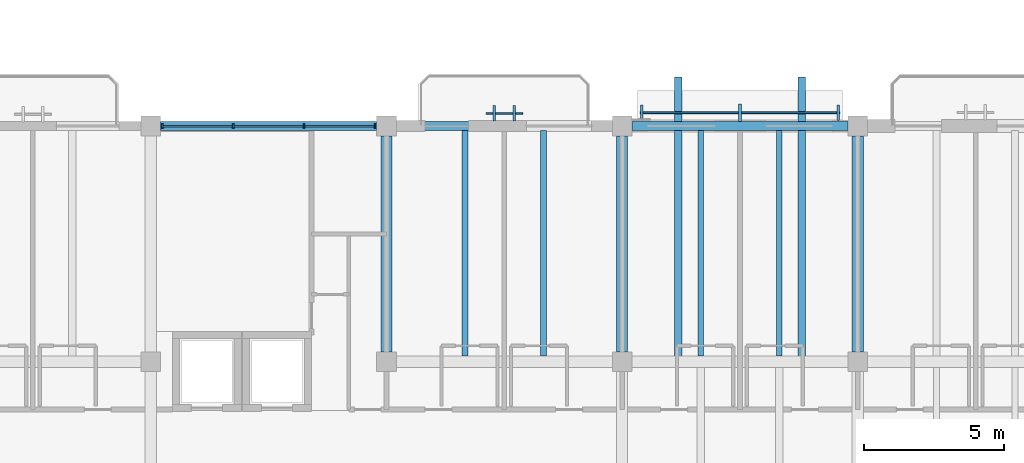
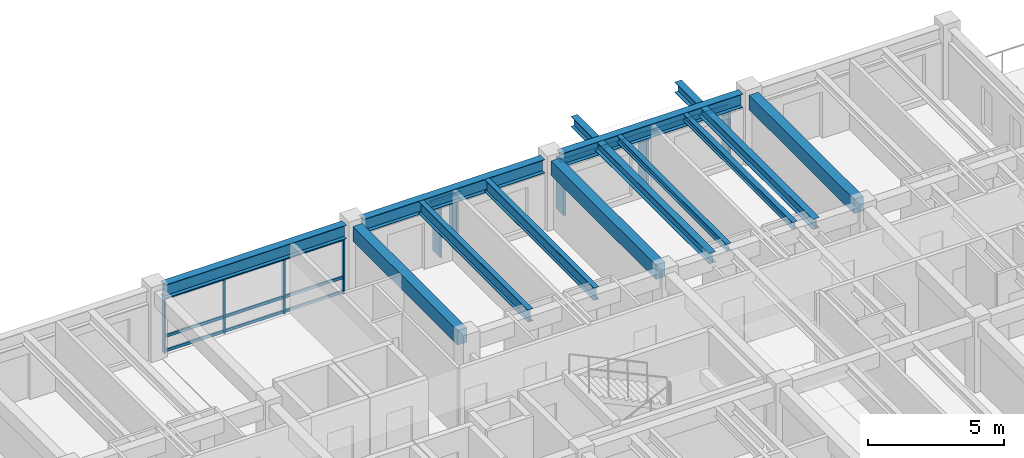
# One storey, part 55 of 93: 20 members, 12 beams, 3 elements without a shape of their own.
"""IFC4 building model written with IfcOpenShell, lengths in metres."""

from ifc_helpers import new_model, si_unit, direction, frame, origin, origin_2d, place, context, subcontext, project, spatial, rectangle, i_section, extrude, material, material_profile, profile_set, type_object, element, aggregate, save


model = new_model("IFC4")

# Units and contexts
model_context = context("Model", 3, precision=1e-05, world=origin(), true_north=direction((0.0, 1.0)))
body_context = subcontext(model_context, "Body", "Model", "MODEL_VIEW")
ifc_project = project(units=[si_unit("LENGTHUNIT", "METRE"), si_unit("AREAUNIT", "SQUARE_METRE"), si_unit("VOLUMEUNIT", "CUBIC_METRE"), si_unit("PLANEANGLEUNIT", "RADIAN"), si_unit("MASSUNIT", "GRAM", prefix="KILO")], contexts=[model_context])

# Site, building, storey
site_placement = place(None, origin())
site = spatial("IfcSite", under=ifc_project, at=site_placement, CompositionType="ELEMENT")
building_placement = place(site_placement, origin())
building = spatial("IfcBuilding", under=site, at=building_placement, Name="Cumbredor Promenade Congress Hotel", CompositionType="ELEMENT")
storey_placement = place(building_placement, frame((0.0, 0.0, 21.840087890625)))
storey = spatial("IfcBuildingStorey", under=building, at=storey_placement, Name="L06", CompositionType="ELEMENT", Elevation=21.840087890625)

# Beams
ifc_material_1 = material(Name="Concrete C40/50", Category="concrete")
ifc_material_profile_1 = material_profile(ifc_material_1, rectangle(XDim=0.39990234375, YDim=0.64990234375, at=origin_2d()), Name="RC BEAM 400x650")
ifc_profile_set_1 = profile_set([ifc_material_profile_1], Name="Concrete C40/50")
beam_type_1 = type_object("IfcBeamType", Name="BM-RC-400x650", PredefinedType="BEAM", material=ifc_profile_set_1)
for number, where, z_axis, x_axis, name in (
    (1, (42.0, 109.550048828125, 2.794921875), (0.0, 1.0, 0.0), (-1.0, 0.0, 0.0), "L07 Y-Grid Beam 036"),
    (2, (50.39990234375, 109.550048828125, 2.794921875), (0.0, 1.0, 0.0), (-1.0, 0.0, 0.0), "L07 Y-Grid Beam 043"),
    (3, (58.800048828125, 109.550048828125, 2.794921875), (0.0, 1.0, 0.0), (-1.0, 0.0, 0.0), "L07 Y-Grid Beam 050"),
):
    element("IfcBeam", number, at=place(storey_placement, frame(where, z_axis=z_axis, x_axis=x_axis)), inside=storey, type_object=beam_type_1, Name=name, PredefinedType="BEAM", context=body_context, shape_type="SweptSolid", body=[
        extrude(rectangle(XDim=0.39990234375, YDim=0.64990234375, at=origin_2d()), origin(), (0.0, 0.0, 1.0), 7.699951171875),
    ])
ifc_material_2 = material(Name="Steel ASTM A992 Grade 50", Category="steel")
ifc_material_profile_2 = material_profile(ifc_material_2, i_section(OverallWidth=0.323974609375, OverallDepth=0.611083984375, WebThickness=0.0126953125, FlangeThickness=0.01904296875, at=origin_2d()), Name="W24X104")
ifc_profile_set_2 = profile_set([ifc_material_profile_2], Name="Steel ASTM A992 Grade 50")
beam_type_2 = type_object("IfcBeamType", Name="BM-W24X104", PredefinedType="BEAM", material=ifc_profile_set_2)
for number, where, z_axis, x_axis, name in (
    (4, (33.949951171875, 117.60009765625, 2.814453125), (1.0, 0.0, 0.0), (0.0, 1.0, 0.0), "L07 X-Grid Beam 031"),
    (5, (42.35009765625, 117.60009765625, 2.814453125), (1.0, 0.0, 0.0), (0.0, 1.0, 0.0), "L07 X-Grid Beam 037"),
    (6, (50.75, 117.60009765625, 2.814453125), (1.0, 0.0, 0.0), (0.0, 1.0, 0.0), "L07 X-Grid Beam 044"),
):
    element("IfcBeam", number, at=place(storey_placement, frame(where, z_axis=z_axis, x_axis=x_axis)), inside=storey, type_object=beam_type_2, Name=name, PredefinedType="BEAM", context=body_context, shape_type="SweptSolid", body=[
        extrude(i_section(OverallWidth=0.323974609375, OverallDepth=0.611083984375, WebThickness=0.0126953125, FlangeThickness=0.01904296875, at=origin_2d()), origin(), (0.0, 0.0, 1.0), 7.699951171875),
    ])

# Curtain wall, members
ifc_material_3 = material(Name="Thermally broken anodized aluminium and low-E glass", Category="aluminium")
curtain_wall_type_1 = type_object("IfcCurtainWallType", Name="Unitised Bronze Curtain Wall CW-01", PredefinedType="NOTDEFINED", material=ifc_material_3)
curtain_wall_1_placement = place(storey_placement, origin())
curtain_wall_1 = element("IfcCurtainWall", 7, at=curtain_wall_1_placement, inside=storey, type_object=curtain_wall_type_1, Name="L06 Stepped Congress Hotel Wing North Curtain Wall 5", PredefinedType="NOTDEFINED")
ifc_material_4 = material(Name="Thermally broken anodized aluminium", Category="aluminium")
ifc_material_profile_3 = material_profile(ifc_material_4, rectangle(XDim=0.06494140625, YDim=0.159912109375, at=origin_2d()), Name="ALU MULLION 65x160")
ifc_profile_set_3 = profile_set([ifc_material_profile_3], Name="Thermally broken anodized aluminium")
member_type_1 = type_object("IfcMemberType", Name="Curtain Wall Mullion ML-01", PredefinedType="MULLION", material=ifc_profile_set_3)
member_1_placement = place(storey_placement, frame((34.0048828125, 117.60009765625, -0.008056640625), z_axis=(0.0, 0.0, 1.0), x_axis=(1.0, 0.0, 0.0)))
member_1 = element("IfcMember", 8, at=member_1_placement, type_object=member_type_1, Name="L06 Stepped Congress Hotel Wing North Curtain Wall 5 Mullion 1", PredefinedType="MULLION", context=body_context, shape_type="SweptSolid", body=[
    extrude(rectangle(XDim=0.06494140625, YDim=0.159912109375, at=origin_2d()), origin(), (0.0, 0.0, 1.0), 2.510009765625),
])
member_2_placement = place(storey_placement, frame((36.534912109375, 117.60009765625, -0.008056640625), z_axis=(0.0, 0.0, 1.0), x_axis=(1.0, 0.0, 0.0)))
member_2 = element("IfcMember", 9, at=member_2_placement, type_object=member_type_1, Name="L06 Stepped Congress Hotel Wing North Curtain Wall 5 Mullion 2", PredefinedType="MULLION", context=body_context, shape_type="SweptSolid", body=[
    extrude(rectangle(XDim=0.06494140625, YDim=0.159912109375, at=origin_2d()), origin(), (0.0, 0.0, 1.0), 2.510009765625),
])
member_3_placement = place(storey_placement, frame((39.06494140625, 117.60009765625, -0.008056640625), z_axis=(0.0, 0.0, 1.0), x_axis=(1.0, 0.0, 0.0)))
member_3 = element("IfcMember", 10, at=member_3_placement, type_object=member_type_1, Name="L06 Stepped Congress Hotel Wing North Curtain Wall 5 Mullion 3", PredefinedType="MULLION", context=body_context, shape_type="SweptSolid", body=[
    extrude(rectangle(XDim=0.06494140625, YDim=0.159912109375, at=origin_2d()), origin(), (0.0, 0.0, 1.0), 2.510009765625),
])
member_4_placement = place(storey_placement, frame((41.594970703125, 117.60009765625, -0.008056640625), z_axis=(0.0, 0.0, 1.0), x_axis=(1.0, 0.0, 0.0)))
member_4 = element("IfcMember", 11, at=member_4_placement, type_object=member_type_1, Name="L06 Stepped Congress Hotel Wing North Curtain Wall 5 Mullion 4", PredefinedType="MULLION", context=body_context, shape_type="SweptSolid", body=[
    extrude(rectangle(XDim=0.06494140625, YDim=0.159912109375, at=origin_2d()), origin(), (0.0, 0.0, 1.0), 2.510009765625),
])
ifc_material_profile_4 = material_profile(ifc_material_4, rectangle(XDim=0.06494140625, YDim=0.1298828125, at=origin_2d()), Name="ALU TRANSOM 65x130")
ifc_profile_set_4 = profile_set([ifc_material_profile_4], Name="Thermally broken anodized aluminium")
member_type_2 = type_object("IfcMemberType", Name="Curtain Wall Transom TR-01", PredefinedType="USERDEFINED", material=ifc_profile_set_4)
member_5_placement = place(storey_placement, frame((34.03759765625, 117.60009765625, 0.06982421875), z_axis=(1.0, 0.0, 0.0), x_axis=(0.0, 1.0, 0.0)))
member_5 = element("IfcMember", 12, at=member_5_placement, type_object=member_type_2, Name="L06 Stepped Congress Hotel Wing North Curtain Wall 5 Transom 1.1", ObjectType="TRANSOM", PredefinedType="USERDEFINED", context=body_context, shape_type="SweptSolid", body=[
    extrude(rectangle(XDim=0.06494140625, YDim=0.1298828125, at=origin_2d()), origin(), (0.0, 0.0, 1.0), 2.46484375),
])
member_6_placement = place(storey_placement, frame((34.03759765625, 117.60009765625, 0.719970703125), z_axis=(1.0, 0.0, 0.0), x_axis=(0.0, 1.0, 0.0)))
member_6 = element("IfcMember", 13, at=member_6_placement, type_object=member_type_2, Name="L06 Stepped Congress Hotel Wing North Curtain Wall 5 Transom 1.2", ObjectType="TRANSOM", PredefinedType="USERDEFINED", context=body_context, shape_type="SweptSolid", body=[
    extrude(rectangle(XDim=0.06494140625, YDim=0.1298828125, at=origin_2d()), origin(), (0.0, 0.0, 1.0), 2.46484375),
])
member_7_placement = place(storey_placement, frame((34.03759765625, 117.60009765625, 2.429931640625), z_axis=(1.0, 0.0, 0.0), x_axis=(0.0, 1.0, 0.0)))
member_7 = element("IfcMember", 14, at=member_7_placement, type_object=member_type_2, Name="L06 Stepped Congress Hotel Wing North Curtain Wall 5 Transom 1.3", ObjectType="TRANSOM", PredefinedType="USERDEFINED", context=body_context, shape_type="SweptSolid", body=[
    extrude(rectangle(XDim=0.06494140625, YDim=0.1298828125, at=origin_2d()), origin(), (0.0, 0.0, 1.0), 2.46484375),
])
member_8_placement = place(storey_placement, frame((36.5673828125, 117.60009765625, 0.06982421875), z_axis=(1.0, 0.0, 0.0), x_axis=(0.0, 1.0, 0.0)))
member_8 = element("IfcMember", 15, at=member_8_placement, type_object=member_type_2, Name="L06 Stepped Congress Hotel Wing North Curtain Wall 5 Transom 2.1", ObjectType="TRANSOM", PredefinedType="USERDEFINED", context=body_context, shape_type="SweptSolid", body=[
    extrude(rectangle(XDim=0.06494140625, YDim=0.1298828125, at=origin_2d()), origin(), (0.0, 0.0, 1.0), 2.465087890625),
])
member_9_placement = place(storey_placement, frame((36.5673828125, 117.60009765625, 0.719970703125), z_axis=(1.0, 0.0, 0.0), x_axis=(0.0, 1.0, 0.0)))
member_9 = element("IfcMember", 16, at=member_9_placement, type_object=member_type_2, Name="L06 Stepped Congress Hotel Wing North Curtain Wall 5 Transom 2.2", ObjectType="TRANSOM", PredefinedType="USERDEFINED", context=body_context, shape_type="SweptSolid", body=[
    extrude(rectangle(XDim=0.06494140625, YDim=0.1298828125, at=origin_2d()), origin(), (0.0, 0.0, 1.0), 2.465087890625),
])
member_10_placement = place(storey_placement, frame((36.5673828125, 117.60009765625, 2.429931640625), z_axis=(1.0, 0.0, 0.0), x_axis=(0.0, 1.0, 0.0)))
member_10 = element("IfcMember", 17, at=member_10_placement, type_object=member_type_2, Name="L06 Stepped Congress Hotel Wing North Curtain Wall 5 Transom 2.3", ObjectType="TRANSOM", PredefinedType="USERDEFINED", context=body_context, shape_type="SweptSolid", body=[
    extrude(rectangle(XDim=0.06494140625, YDim=0.1298828125, at=origin_2d()), origin(), (0.0, 0.0, 1.0), 2.465087890625),
])
member_11_placement = place(storey_placement, frame((39.097412109375, 117.60009765625, 0.06982421875), z_axis=(1.0, 0.0, 0.0), x_axis=(0.0, 1.0, 0.0)))
member_11 = element("IfcMember", 18, at=member_11_placement, type_object=member_type_2, Name="L06 Stepped Congress Hotel Wing North Curtain Wall 5 Transom 3.1", ObjectType="TRANSOM", PredefinedType="USERDEFINED", context=body_context, shape_type="SweptSolid", body=[
    extrude(rectangle(XDim=0.06494140625, YDim=0.1298828125, at=origin_2d()), origin(), (0.0, 0.0, 1.0), 2.465087890625),
])
member_12_placement = place(storey_placement, frame((39.097412109375, 117.60009765625, 0.719970703125), z_axis=(1.0, 0.0, 0.0), x_axis=(0.0, 1.0, 0.0)))
member_12 = element("IfcMember", 19, at=member_12_placement, type_object=member_type_2, Name="L06 Stepped Congress Hotel Wing North Curtain Wall 5 Transom 3.2", ObjectType="TRANSOM", PredefinedType="USERDEFINED", context=body_context, shape_type="SweptSolid", body=[
    extrude(rectangle(XDim=0.06494140625, YDim=0.1298828125, at=origin_2d()), origin(), (0.0, 0.0, 1.0), 2.465087890625),
])
member_13_placement = place(storey_placement, frame((39.097412109375, 117.60009765625, 2.429931640625), z_axis=(1.0, 0.0, 0.0), x_axis=(0.0, 1.0, 0.0)))
member_13 = element("IfcMember", 20, at=member_13_placement, type_object=member_type_2, Name="L06 Stepped Congress Hotel Wing North Curtain Wall 5 Transom 3.3", ObjectType="TRANSOM", PredefinedType="USERDEFINED", context=body_context, shape_type="SweptSolid", body=[
    extrude(rectangle(XDim=0.06494140625, YDim=0.1298828125, at=origin_2d()), origin(), (0.0, 0.0, 1.0), 2.465087890625),
])
aggregate(curtain_wall_1, [member_1, member_2, member_3, member_4, member_5, member_6, member_7, member_8, member_9, member_10, member_11, member_12, member_13])

# Curtain wall, member
curtain_wall_type_2 = type_object("IfcCurtainWallType", Name="Solar Brise-Soleil Screen Assembly CW-07", PredefinedType="NOTDEFINED", material=ifc_material_3)
curtain_wall_2_placement = place(storey_placement, origin())
curtain_wall_2 = element("IfcCurtainWall", 21, at=curtain_wall_2_placement, inside=storey, type_object=curtain_wall_type_2, Name="L06 Veranda Solar Brise-Soleil Screen 958", PredefinedType="NOTDEFINED")
member_14_placement = place(storey_placement, frame((45.550048828125, 118.050048828125, 2.413818359375), z_axis=(1.0, 0.0, 0.0), x_axis=(0.0, 1.0, 0.0)))
member_14 = element("IfcMember", 22, at=member_14_placement, type_object=member_type_2, Name="L06 Brise-Soleil Header Tie 0960", ObjectType="TRANSOM", PredefinedType="USERDEFINED", context=body_context, shape_type="SweptSolid", body=[
    extrude(rectangle(XDim=0.06494140625, YDim=0.1298828125, at=origin_2d()), origin(), (0.0, 0.0, 1.0), 1.300048828125),
])

curtain_wall_3_placement = place(storey_placement, origin())
curtain_wall_3 = element("IfcCurtainWall", 23, at=curtain_wall_3_placement, inside=storey, type_object=curtain_wall_type_2, Name="L06 Hospitality Brise-Soleil Screen 094", PredefinedType="NOTDEFINED")
member_15_placement = place(storey_placement, frame((51.051025390625, 118.072509765625, 2.31396484375), z_axis=(1.0, 0.0, 0.0), x_axis=(0.0, 1.0, 0.0)))
member_15 = element("IfcMember", 24, at=member_15_placement, type_object=member_type_2, Name="L06 Brise-Soleil Screen Transom 094", ObjectType="TRANSOM", PredefinedType="USERDEFINED", context=body_context, shape_type="SweptSolid", body=[
    extrude(rectangle(XDim=0.06494140625, YDim=0.1298828125, at=origin_2d()), origin(), (0.0, 0.0, 1.0), 7.097900390625),
])

# Beams
ifc_material_profile_5 = material_profile(ifc_material_2, i_section(OverallWidth=0.202880859375, OverallDepth=0.302978515625, WebThickness=0.007568359375, FlangeThickness=0.01318359375, at=origin_2d()), Name="W12X40")
ifc_profile_set_5 = profile_set([ifc_material_profile_5], Name="Steel ASTM A992 Grade 50")
beam_type_3 = type_object("IfcBeamType", Name="JST-W12X40", PredefinedType="JOIST", material=ifc_profile_set_5)
for number, where, z_axis, x_axis, name in (
    (25, (53.199951171875, 109.39990234375, 2.968505859375), (0.0, 1.0, 0.0), (-1.0, 0.0, 0.0), "L07 Secondary Floor Joist 0027"),
    (26, (56.0, 109.39990234375, 2.968505859375), (0.0, 1.0, 0.0), (-1.0, 0.0, 0.0), "L07 Secondary Floor Joist 0028"),
):
    element("IfcBeam", number, at=place(storey_placement, frame(where, z_axis=z_axis, x_axis=x_axis)), inside=storey, type_object=beam_type_3, Name=name, PredefinedType="JOIST", context=body_context, shape_type="SweptSolid", body=[
        extrude(i_section(OverallWidth=0.202880859375, OverallDepth=0.302978515625, WebThickness=0.007568359375, FlangeThickness=0.01318359375, at=origin_2d()), origin(), (0.0, 0.0, 1.0), 8.0380859375),
    ])
ifc_material_profile_6 = material_profile(ifc_material_2, i_section(OverallWidth=0.280029296875, OverallDepth=0.462890625, WebThickness=0.0107421875, FlangeThickness=0.017333984375, at=origin_2d()), Name="W18X76")
ifc_profile_set_6 = profile_set([ifc_material_profile_6], Name="Steel ASTM A992 Grade 50")
beam_type_4 = type_object("IfcBeamType", Name="JST-W18X76", PredefinedType="JOIST", material=ifc_profile_set_6)
for number, where, z_axis, x_axis, name in (
    (27, (52.39990234375, 109.199951171875, 2.888427734375), (0.0, 1.0, 0.0), (-1.0, 0.0, 0.0), "L07 Balcony Back-Spanned Outrigger Beam 044.1"),
    (28, (56.800048828125, 109.199951171875, 2.888427734375), (0.0, 1.0, 0.0), (-1.0, 0.0, 0.0), "L07 Balcony Back-Spanned Outrigger Beam 044.2"),
):
    element("IfcBeam", number, at=place(storey_placement, frame(where, z_axis=z_axis, x_axis=x_axis)), inside=storey, type_object=beam_type_4, Name=name, PredefinedType="JOIST", context=body_context, shape_type="SweptSolid", body=[
        extrude(i_section(OverallWidth=0.280029296875, OverallDepth=0.462890625, WebThickness=0.0107421875, FlangeThickness=0.017333984375, at=origin_2d()), origin(), (0.0, 0.0, 1.0), 10.150146484375),
    ])
ifc_material_profile_7 = material_profile(ifc_material_2, i_section(OverallWidth=0.214111328125, OverallDepth=0.549072265625, WebThickness=0.0146484375, FlangeThickness=0.023681640625, at=origin_2d()), Name="W21X93")
ifc_profile_set_7 = profile_set([ifc_material_profile_7], Name="Steel ASTM A992 Grade 50")
beam_type_5 = type_object("IfcBeamType", Name="JST-W21X93", PredefinedType="JOIST", material=ifc_profile_set_7)
for number, where, z_axis, x_axis, name in (
    (29, (44.800048828125, 109.39990234375, 2.845458984375), (0.0, 1.0, 0.0), (-1.0, 0.0, 0.0), "L07 Secondary Floor Joist 0021"),
    (30, (47.60009765625, 109.39990234375, 2.845458984375), (0.0, 1.0, 0.0), (-1.0, 0.0, 0.0), "L07 Secondary Floor Joist 0022"),
):
    element("IfcBeam", number, at=place(storey_placement, frame(where, z_axis=z_axis, x_axis=x_axis)), inside=storey, type_object=beam_type_5, Name=name, PredefinedType="JOIST", context=body_context, shape_type="SweptSolid", body=[
        extrude(i_section(OverallWidth=0.214111328125, OverallDepth=0.549072265625, WebThickness=0.0146484375, FlangeThickness=0.023681640625, at=origin_2d()), origin(), (0.0, 0.0, 1.0), 8.0380859375),
    ])

# Member
ifc_material_profile_8 = material_profile(ifc_material_4, rectangle(XDim=0.110107421875, YDim=0.6201171875, at=origin_2d()), Name="ARCH FIN 110x620")
ifc_profile_set_8 = profile_set([ifc_material_profile_8], Name="Thermally broken anodized aluminium")
member_type_3 = type_object("IfcMemberType", Name="Vertical Bronze Brise-Soleil Fin BSF-02 110x620", PredefinedType="USERDEFINED", material=ifc_profile_set_8)
member_16_placement = place(storey_placement, frame((54.60009765625, 118.072509765625, 0.02001953125), z_axis=(0.0, 0.0, 1.0), x_axis=(1.0, 0.0, 0.0)))
member_16 = element("IfcMember", 31, at=member_16_placement, type_object=member_type_3, Name="L06 Vertical Brise-Soleil Fin 0962", ObjectType="SOLAR FIN", PredefinedType="USERDEFINED", context=body_context, shape_type="SweptSolid", body=[
    extrude(rectangle(XDim=0.110107421875, YDim=0.6201171875, at=origin_2d()), origin(), (0.0, 0.0, 1.0), 2.35400390625),
])

ifc_material_5 = material(Name="Kiln-dried tropical hardwood", Category="wood")
ifc_material_profile_9 = material_profile(ifc_material_5, rectangle(XDim=0.090087890625, YDim=0.550048828125, at=origin_2d()), Name="ARCH FIN 90x550")
ifc_profile_set_9 = profile_set([ifc_material_profile_9], Name="Kiln-dried tropical hardwood")
member_type_4 = type_object("IfcMemberType", Name="Vertical Hardwood Brise-Soleil Fin BSF-01 90x550", PredefinedType="USERDEFINED", material=ifc_profile_set_9)
member_17_placement = place(storey_placement, frame((45.85009765625, 118.050048828125, -0.010009765625), z_axis=(0.0, 0.0, 1.0), x_axis=(1.0, 0.0, 0.0)))
member_17 = element("IfcMember", 32, at=member_17_placement, type_object=member_type_4, Name="L06 Vertical Hardwood Brise-Soleil Fin 0959", ObjectType="SOLAR FIN", PredefinedType="USERDEFINED", context=body_context, shape_type="SweptSolid", body=[
    extrude(rectangle(XDim=0.090087890625, YDim=0.550048828125, at=origin_2d()), origin(), (0.0, 0.0, 1.0), 2.48388671875),
])

member_18_placement = place(storey_placement, frame((46.550048828125, 118.050048828125, -0.010009765625), z_axis=(0.0, 0.0, 1.0), x_axis=(1.0, 0.0, 0.0)))
member_18 = element("IfcMember", 33, at=member_18_placement, type_object=member_type_4, Name="L06 Vertical Hardwood Brise-Soleil Fin 0960", ObjectType="SOLAR FIN", PredefinedType="USERDEFINED", context=body_context, shape_type="SweptSolid", body=[
    extrude(rectangle(XDim=0.090087890625, YDim=0.550048828125, at=origin_2d()), origin(), (0.0, 0.0, 1.0), 2.48388671875),
])

aggregate(curtain_wall_2, [member_17, member_18, member_14])

member_19_placement = place(storey_placement, frame((51.10107421875, 118.072509765625, 0.02001953125), z_axis=(0.0, 0.0, 1.0), x_axis=(1.0, 0.0, 0.0)))
member_19 = element("IfcMember", 34, at=member_19_placement, type_object=member_type_4, Name="L06 Vertical Brise-Soleil Fin 0961", ObjectType="SOLAR FIN", PredefinedType="USERDEFINED", context=body_context, shape_type="SweptSolid", body=[
    extrude(rectangle(XDim=0.090087890625, YDim=0.550048828125, at=origin_2d()), origin(), (0.0, 0.0, 1.0), 2.35400390625),
])

member_20_placement = place(storey_placement, frame((58.09912109375, 118.072509765625, 0.02001953125), z_axis=(0.0, 0.0, 1.0), x_axis=(1.0, 0.0, 0.0)))
member_20 = element("IfcMember", 35, at=member_20_placement, type_object=member_type_4, Name="L06 Vertical Brise-Soleil Fin 0963", ObjectType="SOLAR FIN", PredefinedType="USERDEFINED", context=body_context, shape_type="SweptSolid", body=[
    extrude(rectangle(XDim=0.090087890625, YDim=0.550048828125, at=origin_2d()), origin(), (0.0, 0.0, 1.0), 2.35400390625),
])

aggregate(curtain_wall_3, [member_15, member_19, member_16, member_20])

save(model, "model.ifc")
